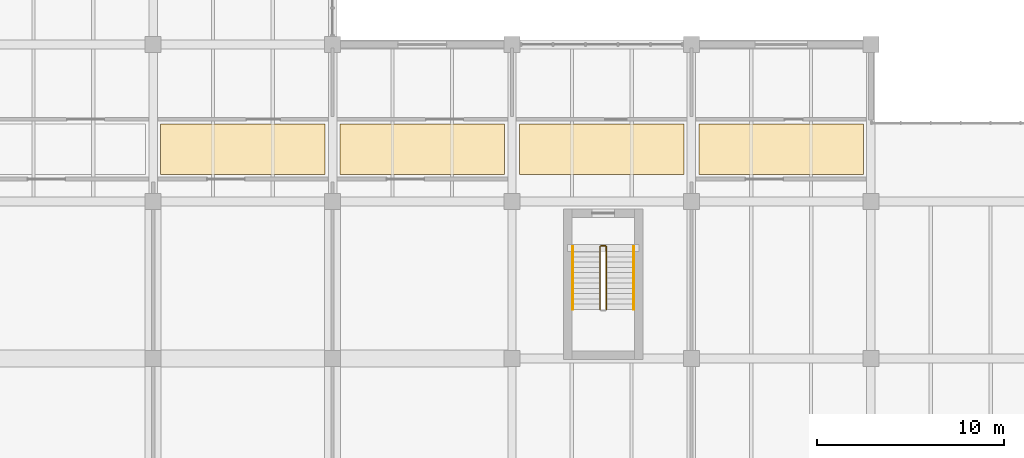
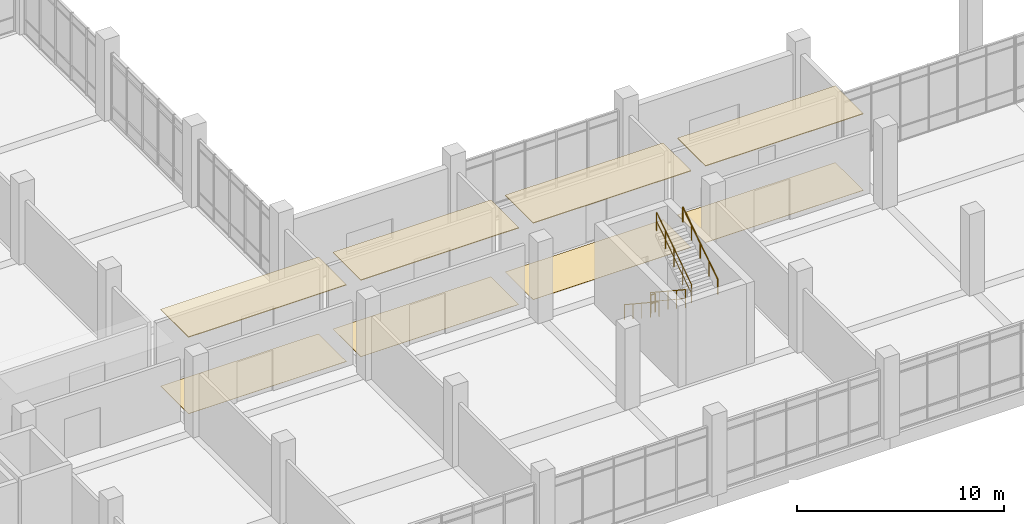
# One storey, part 142 of 152: 8 coverings, 5 railings.
"""IFC4 building model written with IfcOpenShell, lengths in metres."""

from ifc_helpers import new_model, si_unit, direction, frame, origin, origin_2d, place, context, subcontext, project, spatial, polyline, circle, outline, extrude, material, layer, layer_set, type_object, element, save


model = new_model("IFC4")

# Units and contexts
model_context = context("Model", 3, precision=1e-05, world=origin(), true_north=direction((0.0, 1.0)))
body_context = subcontext(model_context, "Body", "Model", "MODEL_VIEW")
ifc_project = project(units=[si_unit("LENGTHUNIT", "METRE"), si_unit("AREAUNIT", "SQUARE_METRE"), si_unit("VOLUMEUNIT", "CUBIC_METRE"), si_unit("PLANEANGLEUNIT", "RADIAN"), si_unit("MASSUNIT", "GRAM", prefix="KILO")], contexts=[model_context])

# Site, building, storey
site_placement = place(None, origin())
site = spatial("IfcSite", under=ifc_project, at=site_placement, CompositionType="ELEMENT")
building_placement = place(site_placement, origin())
building = spatial("IfcBuilding", under=site, at=building_placement, Name="Oolite Switchyard Hospital", CompositionType="ELEMENT")
storey_placement = place(building_placement, frame((0.0, 0.0, 5.10009765625)))
storey = spatial("IfcBuildingStorey", under=building, at=storey_placement, Name="L01", CompositionType="ELEMENT", Elevation=5.10009765625)

# Coverings
ifc_material_1 = material(Name="Hygienic washable mineral-fibre acoustic ceiling")
ifc_layer_1 = layer(ifc_material_1, 0.0400390625)
ifc_layer_set_1 = layer_set([ifc_layer_1], Name="COV-CEIL-AC60")
covering_type_1 = type_object("IfcCoveringType", Name="COV-CEIL-AC60", PredefinedType="CEILING", material=ifc_layer_set_1)
covering_1_placement = place(storey_placement, frame((0.0, 0.0, 4.5)))
element("IfcCovering", 1, at=covering_1_placement, inside=storey, type_object=covering_type_1, Name="L01 Surgical Clean Corridor Ceiling 7", PredefinedType="CEILING", context=body_context, shape_type="SweptSolid", body=[
    extrude(outline(polyline([(67.60009765625, 102.25), (76.39990234375, 102.25), (76.39990234375, 104.949951171875), (67.60009765625, 104.949951171875), (67.60009765625, 102.25)])), origin(), (0.0, 0.0, 1.0), 0.039794921875),
])
covering_2_placement = place(storey_placement, frame((0.0, 0.0, 4.5)))
element("IfcCovering", 2, at=covering_2_placement, inside=storey, type_object=covering_type_1, Name="L01 Surgical Clean Corridor Ceiling 8", PredefinedType="CEILING", context=body_context, shape_type="SweptSolid", body=[
    extrude(outline(polyline([(77.199951171875, 102.25), (86.0, 102.25), (86.0, 104.949951171875), (77.199951171875, 104.949951171875), (77.199951171875, 102.25)])), origin(), (0.0, 0.0, 1.0), 0.039794921875),
])
covering_3_placement = place(storey_placement, frame((0.0, 0.0, 4.5)))
element("IfcCovering", 3, at=covering_3_placement, inside=storey, type_object=covering_type_1, Name="L01 Surgical Clean Corridor Ceiling 9", PredefinedType="CEILING", context=body_context, shape_type="SweptSolid", body=[
    extrude(outline(polyline([(86.800048828125, 102.25), (95.60009765625, 102.25), (95.60009765625, 104.949951171875), (86.800048828125, 104.949951171875), (86.800048828125, 102.25)])), origin(), (0.0, 0.0, 1.0), 0.039794921875),
])
covering_4_placement = place(storey_placement, frame((0.0, 0.0, 4.5)))
element("IfcCovering", 4, at=covering_4_placement, inside=storey, type_object=covering_type_1, Name="L01 Surgical Clean Corridor Ceiling 10", PredefinedType="CEILING", context=body_context, shape_type="SweptSolid", body=[
    extrude(outline(polyline([(96.39990234375, 102.25), (105.199951171875, 102.25), (105.199951171875, 104.949951171875), (96.39990234375, 104.949951171875), (96.39990234375, 102.25)])), origin(), (0.0, 0.0, 1.0), 0.039794921875),
])
ifc_material_2 = material(Name="Conductive homogeneous sheet vinyl flooring")
ifc_layer_2 = layer(ifc_material_2, 0.014892578125)
ifc_layer_set_2 = layer_set([ifc_layer_2], Name="COV-FLR-ESD15")
covering_type_2 = type_object("IfcCoveringType", Name="COV-FLR-ESD15", PredefinedType="FLOORING", material=ifc_layer_set_2)
covering_5_placement = place(storey_placement, origin())
element("IfcCovering", 5, at=covering_5_placement, inside=storey, type_object=covering_type_2, Name="L01 Surgical Clean Corridor Flooring 7", PredefinedType="FLOORING", context=body_context, shape_type="SweptSolid", body=[
    extrude(outline(polyline([(67.60009765625, 102.25), (76.39990234375, 102.25), (76.39990234375, 104.949951171875), (67.60009765625, 104.949951171875), (67.60009765625, 102.25)])), origin(), (0.0, 0.0, 1.0), 0.014892578125),
])
covering_6_placement = place(storey_placement, origin())
element("IfcCovering", 6, at=covering_6_placement, inside=storey, type_object=covering_type_2, Name="L01 Surgical Clean Corridor Flooring 8", PredefinedType="FLOORING", context=body_context, shape_type="SweptSolid", body=[
    extrude(outline(polyline([(77.199951171875, 102.25), (86.0, 102.25), (86.0, 104.949951171875), (77.199951171875, 104.949951171875), (77.199951171875, 102.25)])), origin(), (0.0, 0.0, 1.0), 0.014892578125),
])
covering_7_placement = place(storey_placement, origin())
element("IfcCovering", 7, at=covering_7_placement, inside=storey, type_object=covering_type_2, Name="L01 Surgical Clean Corridor Flooring 9", PredefinedType="FLOORING", context=body_context, shape_type="SweptSolid", body=[
    extrude(outline(polyline([(86.800048828125, 102.25), (95.60009765625, 102.25), (95.60009765625, 104.949951171875), (86.800048828125, 104.949951171875), (86.800048828125, 102.25)])), origin(), (0.0, 0.0, 1.0), 0.014892578125),
])
covering_8_placement = place(storey_placement, origin())
element("IfcCovering", 8, at=covering_8_placement, inside=storey, type_object=covering_type_2, Name="L01 Surgical Clean Corridor Flooring 10", PredefinedType="FLOORING", context=body_context, shape_type="SweptSolid", body=[
    extrude(outline(polyline([(96.39990234375, 102.25), (105.199951171875, 102.25), (105.199951171875, 104.949951171875), (96.39990234375, 104.949951171875), (96.39990234375, 102.25)])), origin(), (0.0, 0.0, 1.0), 0.014892578125),
])

# Railings
ifc_material_3 = material(Name="Galvanized painted architectural steel handrail", Category="steel")
railing_type_1 = type_object("IfcRailingType", Name="RL-STAIR-GRD", PredefinedType="GUARDRAIL", material=ifc_material_3)
railing_1_placement = place(storey_placement, frame((91.110107421875, 98.389892578125, 0.1845703125)))
element("IfcRailing", 9, at=railing_1_placement, inside=storey, type_object=railing_type_1, Name="L01 ST-09 stair guard 1", PredefinedType="GUARDRAIL", context=body_context, shape_type="SweptSolid", body=[
    extrude(circle(Radius=0.02392578125, at=origin_2d()), frame((0.0, 0.0, 1.076171875), z_axis=(0.0, -0.834858096282, 0.550465220583), x_axis=(1.0, 0.0, 0.0)), (0.0, 0.0, 1.0), 4.0244140625),
    extrude(circle(Radius=0.015625, at=origin_2d()), frame((0.0, 0.0, 0.550048828125), z_axis=(0.0, -0.834858096282, 0.550465220583), x_axis=(1.0, 0.0, 0.0)), (0.0, 0.0, 1.0), 4.0244140625),
    extrude(circle(Radius=0.02099609375, at=origin_2d()), origin(), (0.0, 0.0, 1.0), 1.052001953125),
    extrude(circle(Radius=0.02099609375, at=origin_2d()), frame((0.0, -0.83984375, 0.5537109375)), (0.0, 0.0, 1.0), 1.052001953125),
    extrude(circle(Radius=0.02099609375, at=origin_2d()), frame((0.0, -1.679931640625, 1.107666015625)), (0.0, 0.0, 1.0), 1.052001953125),
    extrude(circle(Radius=0.02099609375, at=origin_2d()), frame((0.0, -2.52001953125, 1.66162109375)), (0.0, 0.0, 1.0), 1.052001953125),
    extrude(circle(Radius=0.02099609375, at=origin_2d()), frame((0.0, -3.35986328125, 2.21533203125)), (0.0, 0.0, 1.0), 1.052001953125),
])
railing_2_placement = place(storey_placement, frame((91.449951171875, 95.030029296875, 2.58447265625)))
element("IfcRailing", 10, at=railing_2_placement, inside=storey, type_object=railing_type_1, Name="L01 ST-09 stair guard 3", PredefinedType="GUARDRAIL", context=body_context, shape_type="SweptSolid", body=[
    extrude(circle(Radius=0.02392578125, at=origin_2d()), frame((0.0, 0.0, 1.076171875), z_axis=(0.0, 0.834858096282, 0.550465220583), x_axis=(-1.0, 0.0, 0.0)), (0.0, 0.0, 1.0), 4.0244140625),
    extrude(circle(Radius=0.015625, at=origin_2d()), frame((0.0, 0.0, 0.550048828125), z_axis=(0.0, 0.834858096282, 0.550465220583), x_axis=(-1.0, 0.0, 0.0)), (0.0, 0.0, 1.0), 4.0244140625),
    extrude(circle(Radius=0.02099609375, at=origin_2d()), origin(), (0.0, 0.0, 1.0), 1.052001953125),
    extrude(circle(Radius=0.02099609375, at=origin_2d()), frame((0.0, 0.83984375, 0.5537109375)), (0.0, 0.0, 1.0), 1.052001953125),
    extrude(circle(Radius=0.02099609375, at=origin_2d()), frame((0.0, 1.679931640625, 1.107666015625)), (0.0, 0.0, 1.0), 1.052001953125),
    extrude(circle(Radius=0.02099609375, at=origin_2d()), frame((0.0, 2.52001953125, 1.66162109375)), (0.0, 0.0, 1.0), 1.052001953125),
    extrude(circle(Radius=0.02099609375, at=origin_2d()), frame((0.0, 3.35986328125, 2.21533203125)), (0.0, 0.0, 1.0), 1.052001953125),
])
railing_3_placement = place(storey_placement, frame((91.159912109375, 98.43994140625, 0.0)))
element("IfcRailing", 11, at=railing_3_placement, inside=storey, type_object=railing_type_1, Name="L01 ST-09 stair guard 4", PredefinedType="GUARDRAIL", context=body_context, shape_type="SweptSolid", body=[
    extrude(circle(Radius=0.02392578125, at=origin_2d()), frame((0.0, 0.0, 1.076171875), z_axis=(1.0, 0.0, 0.0), x_axis=(0.0, 1.0, 0.0)), (0.0, 0.0, 1.0), 0.239990234375),
    extrude(circle(Radius=0.015625, at=origin_2d()), frame((0.0, 0.0, 0.550048828125), z_axis=(1.0, 0.0, 0.0), x_axis=(0.0, 1.0, 0.0)), (0.0, 0.0, 1.0), 0.239990234375),
    extrude(circle(Radius=0.02099609375, at=origin_2d()), origin(), (0.0, 0.0, 1.0), 1.052001953125),
    extrude(circle(Radius=0.02099609375, at=origin_2d()), frame((0.239990234375, 0.0, 0.0)), (0.0, 0.0, 1.0), 1.052001953125),
])
railing_type_2 = type_object("IfcRailingType", Name="RL-STAIR-HND", PredefinedType="HANDRAIL", material=ifc_material_3)
railing_4_placement = place(storey_placement, frame((89.64990234375, 98.389892578125, 0.1845703125)))
element("IfcRailing", 12, at=railing_4_placement, inside=storey, type_object=railing_type_2, Name="L01 ST-09 stair handrail 1", PredefinedType="HANDRAIL", context=body_context, shape_type="SweptSolid", body=[
    extrude(circle(Radius=0.02392578125, at=origin_2d()), frame((0.0, 0.0, 0.8759765625), z_axis=(0.0, -0.834858096282, 0.550465220583), x_axis=(1.0, 0.0, 0.0)), (0.0, 0.0, 1.0), 4.0244140625),
    extrude(circle(Radius=0.02099609375, at=origin_2d()), origin(), (0.0, 0.0, 1.0), 0.851806640625),
    extrude(circle(Radius=0.02099609375, at=origin_2d()), frame((0.0, -0.83984375, 0.5537109375)), (0.0, 0.0, 1.0), 0.851806640625),
    extrude(circle(Radius=0.02099609375, at=origin_2d()), frame((0.0, -1.679931640625, 1.107666015625)), (0.0, 0.0, 1.0), 0.851806640625),
    extrude(circle(Radius=0.02099609375, at=origin_2d()), frame((0.0, -2.52001953125, 1.66162109375)), (0.0, 0.0, 1.0), 0.851806640625),
    extrude(circle(Radius=0.02099609375, at=origin_2d()), frame((0.0, -3.35986328125, 2.21533203125)), (0.0, 0.0, 1.0), 0.851806640625),
])
railing_5_placement = place(storey_placement, frame((92.909912109375, 95.030029296875, 2.58447265625)))
element("IfcRailing", 13, at=railing_5_placement, inside=storey, type_object=railing_type_2, Name="L01 ST-09 stair handrail 2", PredefinedType="HANDRAIL", context=body_context, shape_type="SweptSolid", body=[
    extrude(circle(Radius=0.02392578125, at=origin_2d()), frame((0.0, 0.0, 0.8759765625), z_axis=(0.0, 0.834858096282, 0.550465220583), x_axis=(-1.0, 0.0, 0.0)), (0.0, 0.0, 1.0), 4.0244140625),
    extrude(circle(Radius=0.02099609375, at=origin_2d()), origin(), (0.0, 0.0, 1.0), 0.851806640625),
    extrude(circle(Radius=0.02099609375, at=origin_2d()), frame((0.0, 0.83984375, 0.5537109375)), (0.0, 0.0, 1.0), 0.851806640625),
    extrude(circle(Radius=0.02099609375, at=origin_2d()), frame((0.0, 1.679931640625, 1.107666015625)), (0.0, 0.0, 1.0), 0.851806640625),
    extrude(circle(Radius=0.02099609375, at=origin_2d()), frame((0.0, 2.52001953125, 1.66162109375)), (0.0, 0.0, 1.0), 0.851806640625),
    extrude(circle(Radius=0.02099609375, at=origin_2d()), frame((0.0, 3.35986328125, 2.21533203125)), (0.0, 0.0, 1.0), 0.851806640625),
])

save(model, "model.ifc")
